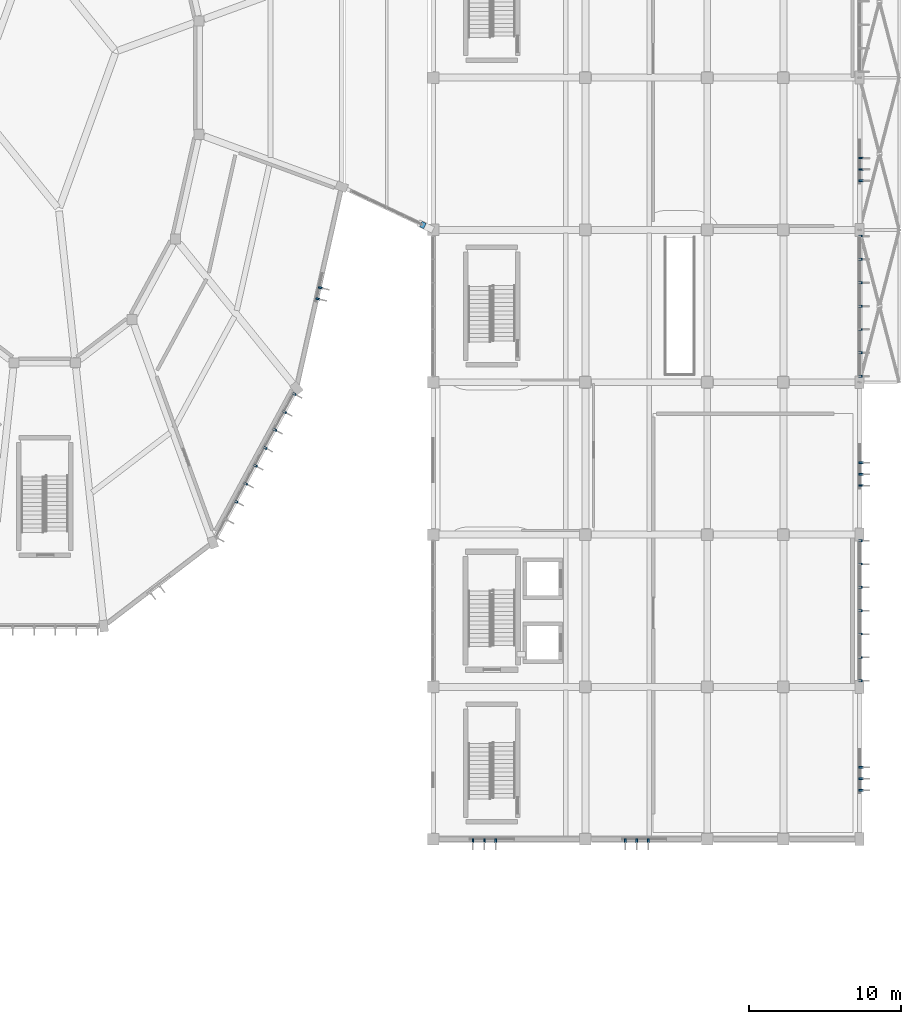
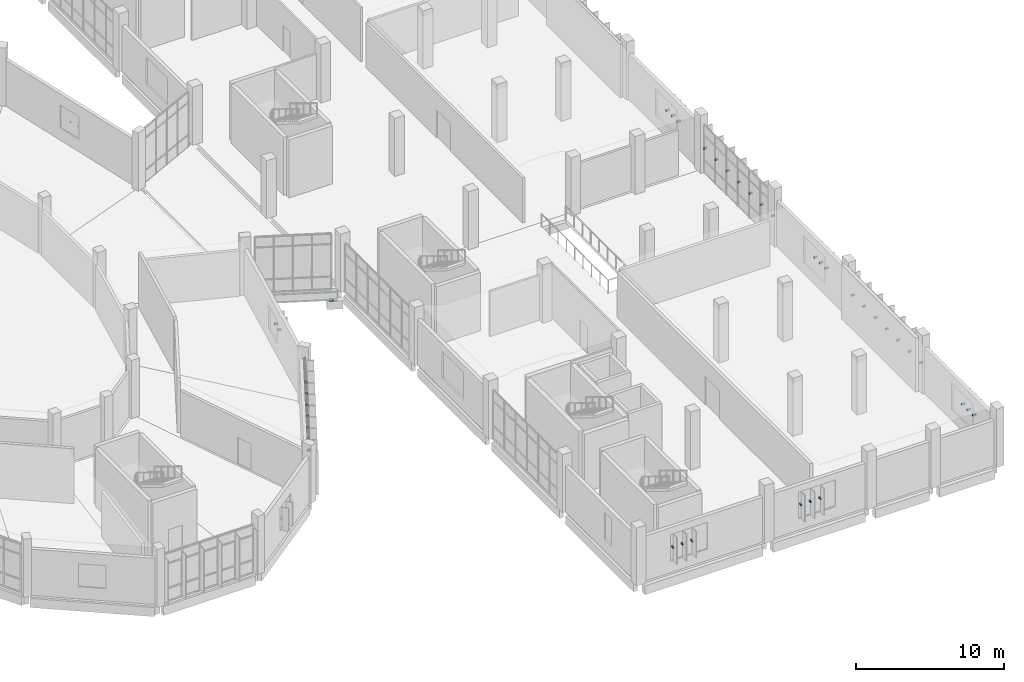
# One storey, part 143 of 179: 39 discrete accessories.
"""IFC4 building model written with IfcOpenShell, lengths in metres."""

from ifc_helpers import new_model, si_unit, direction, frame, origin, origin_2d, place, context, subcontext, project, spatial, rectangle, extrude, material, type_object, element, save


model = new_model("IFC4")

# Units and contexts
model_context = context("Model", 3, precision=1e-05, world=origin(), true_north=direction((0.0, 1.0)))
body_context = subcontext(model_context, "Body", "Model", "MODEL_VIEW")
ifc_project = project(units=[si_unit("LENGTHUNIT", "METRE"), si_unit("AREAUNIT", "SQUARE_METRE"), si_unit("VOLUMEUNIT", "CUBIC_METRE"), si_unit("PLANEANGLEUNIT", "RADIAN"), si_unit("MASSUNIT", "GRAM", prefix="KILO")], contexts=[model_context])

# Site, building, storey
site_placement = place(None, origin())
site = spatial("IfcSite", under=ifc_project, at=site_placement, CompositionType="ELEMENT")
building_placement = place(site_placement, origin())
building = spatial("IfcBuilding", under=site, at=building_placement, Name="Corvandel Quay Wholesale Market", CompositionType="ELEMENT")
storey_placement = place(building_placement, frame((0.0, 0.0, 6.0)))
storey = spatial("IfcBuildingStorey", under=building, at=storey_placement, Name="L01", CompositionType="ELEMENT", Elevation=6.0)

# Discrete accessories
ifc_material_1 = material(Name="Austenitic stainless steel Grade 316", Category="steel")
discrete_accessory_type_1 = type_object("IfcDiscreteAccessoryType", Name="Stainless Solar Fin Fixing Bracket BRK01", PredefinedType="USERDEFINED", material=ifc_material_1)
for number, where, z_axis, x_axis, name in (
    (1, (207.065185546875, 32.159912109375, 1.9052734375), (0.0, 0.0, 1.0), (-0.879316310191, 0.476238203668, 0.0), "Fin Bracket 0655"),
    (2, (207.703369140625, 33.337890625, 1.9052734375), (0.0, 0.0, 1.0), (-0.879316310191, 0.476238203668, 0.0), "Fin Bracket 0656"),
    (3, (208.34130859375, 34.515869140625, 1.9052734375), (0.0, 0.0, 1.0), (-0.879316310191, 0.476238203668, 0.0), "Fin Bracket 0657"),
    (4, (208.979248046875, 35.69384765625, 1.9052734375), (0.0, 0.0, 1.0), (-0.879316310191, 0.476238203668, 0.0), "Fin Bracket 0658"),
    (5, (209.6171875, 36.871826171875, 1.9052734375), (0.0, 0.0, 1.0), (-0.879316310191, 0.476238203668, 0.0), "Fin Bracket 0659"),
    (6, (210.25537109375, 38.0498046875, 1.9052734375), (0.0, 0.0, 1.0), (-0.879316310191, 0.476238203668, 0.0), "Fin Bracket 0660"),
    (7, (210.893310546875, 39.227783203125, 1.9052734375), (0.0, 0.0, 1.0), (-0.879316310191, 0.476238203668, 0.0), "Fin Bracket 0661"),
):
    element("IfcDiscreteAccessory", number, at=place(storey_placement, frame(where, z_axis=z_axis, x_axis=x_axis)), inside=storey, type_object=discrete_accessory_type_1, Name=name, ObjectType="BRACKET", PredefinedType="USERDEFINED", context=body_context, shape_type="SweptSolid", body=[
        extrude(rectangle(XDim=0.239990234375, YDim=0.1201171875, at=origin_2d()), origin(), (0.0, 0.0, 1.0), 0.139892578125),
    ])
for number, where, z_axis, x_axis, name in (
    (8, (212.448974609375, 45.4697265625, 1.8798828125), (0.0, 0.0, 1.0), (-0.975726024471, 0.218994806262, 0.0), "Fin Bracket 0674"),
    (9, (212.613037109375, 46.20166015625, 1.8798828125), (0.0, 0.0, 1.0), (-0.975726024471, 0.218994806262, 0.0), "Fin Bracket 0675"),
    (10, (248.10009765625, 13.219970703125, 1.93017578125), (0.0, 0.0, 1.0), (1.0, 0.0, 0.0), "Fin Bracket 0796"),
    (11, (248.10009765625, 13.969970703125, 1.93017578125), (0.0, 0.0, 1.0), (1.0, 0.0, 0.0), "Fin Bracket 0797"),
    (12, (248.10009765625, 14.719970703125, 1.93017578125), (0.0, 0.0, 1.0), (1.0, 0.0, 0.0), "Fin Bracket 0798"),
):
    element("IfcDiscreteAccessory", number, at=place(storey_placement, frame(where, z_axis=z_axis, x_axis=x_axis)), inside=storey, type_object=discrete_accessory_type_1, Name=name, ObjectType="BRACKET", PredefinedType="USERDEFINED", context=body_context, shape_type="SweptSolid", body=[
        extrude(rectangle(XDim=0.280029296875, YDim=0.1201171875, at=origin_2d()), origin(), (0.0, 0.0, 1.0), 0.139892578125),
    ])
for number, where, z_axis, x_axis, name in (
    (13, (248.06005859375, 20.39990234375, 1.9052734375), (0.0, 0.0, 1.0), (1.0, 0.0, 0.0), "Fin Bracket 0799"),
    (14, (248.06005859375, 21.933349609375, 1.9052734375), (0.0, 0.0, 1.0), (1.0, 0.0, 0.0), "Fin Bracket 0800"),
    (15, (248.06005859375, 23.466796875, 1.9052734375), (0.0, 0.0, 1.0), (1.0, 0.0, 0.0), "Fin Bracket 0801"),
    (16, (248.06005859375, 25.0, 1.9052734375), (0.0, 0.0, 1.0), (1.0, 0.0, 0.0), "Fin Bracket 0802"),
    (17, (248.06005859375, 26.533203125, 1.9052734375), (0.0, 0.0, 1.0), (1.0, 0.0, 0.0), "Fin Bracket 0803"),
    (18, (248.06005859375, 28.066650390625, 1.9052734375), (0.0, 0.0, 1.0), (1.0, 0.0, 0.0), "Fin Bracket 0804"),
    (19, (248.06005859375, 29.60009765625, 1.9052734375), (0.0, 0.0, 1.0), (1.0, 0.0, 0.0), "Fin Bracket 0805"),
):
    element("IfcDiscreteAccessory", number, at=place(storey_placement, frame(where, z_axis=z_axis, x_axis=x_axis)), inside=storey, type_object=discrete_accessory_type_1, Name=name, ObjectType="BRACKET", PredefinedType="USERDEFINED", context=body_context, shape_type="SweptSolid", body=[
        extrude(rectangle(XDim=0.239990234375, YDim=0.1201171875, at=origin_2d()), origin(), (0.0, 0.0, 1.0), 0.139892578125),
    ])
for number, where, z_axis, x_axis, name in (
    (20, (248.10009765625, 33.219970703125, 1.93017578125), (0.0, 0.0, 1.0), (1.0, 0.0, 0.0), "Fin Bracket 0806"),
    (21, (248.10009765625, 33.969970703125, 1.93017578125), (0.0, 0.0, 1.0), (1.0, 0.0, 0.0), "Fin Bracket 0807"),
    (22, (248.10009765625, 34.719970703125, 1.93017578125), (0.0, 0.0, 1.0), (1.0, 0.0, 0.0), "Fin Bracket 0808"),
):
    element("IfcDiscreteAccessory", number, at=place(storey_placement, frame(where, z_axis=z_axis, x_axis=x_axis)), inside=storey, type_object=discrete_accessory_type_1, Name=name, ObjectType="BRACKET", PredefinedType="USERDEFINED", context=body_context, shape_type="SweptSolid", body=[
        extrude(rectangle(XDim=0.280029296875, YDim=0.1201171875, at=origin_2d()), origin(), (0.0, 0.0, 1.0), 0.139892578125),
    ])
for number, where, z_axis, x_axis, name in (
    (23, (248.06005859375, 40.39990234375, 1.9052734375), (0.0, 0.0, 1.0), (1.0, 0.0, 0.0), "Fin Bracket 0809"),
    (24, (248.06005859375, 41.933349609375, 1.9052734375), (0.0, 0.0, 1.0), (1.0, 0.0, 0.0), "Fin Bracket 0810"),
    (25, (248.06005859375, 43.466796875, 1.9052734375), (0.0, 0.0, 1.0), (1.0, 0.0, 0.0), "Fin Bracket 0811"),
    (26, (248.06005859375, 45.0, 1.9052734375), (0.0, 0.0, 1.0), (1.0, 0.0, 0.0), "Fin Bracket 0812"),
    (27, (248.06005859375, 46.533203125, 1.9052734375), (0.0, 0.0, 1.0), (1.0, 0.0, 0.0), "Fin Bracket 0813"),
    (28, (248.06005859375, 48.066650390625, 1.9052734375), (0.0, 0.0, 1.0), (1.0, 0.0, 0.0), "Fin Bracket 0814"),
    (29, (248.06005859375, 49.60009765625, 1.9052734375), (0.0, 0.0, 1.0), (1.0, 0.0, 0.0), "Fin Bracket 0815"),
):
    element("IfcDiscreteAccessory", number, at=place(storey_placement, frame(where, z_axis=z_axis, x_axis=x_axis)), inside=storey, type_object=discrete_accessory_type_1, Name=name, ObjectType="BRACKET", PredefinedType="USERDEFINED", context=body_context, shape_type="SweptSolid", body=[
        extrude(rectangle(XDim=0.239990234375, YDim=0.1201171875, at=origin_2d()), origin(), (0.0, 0.0, 1.0), 0.139892578125),
    ])
for number, where, z_axis, x_axis, name in (
    (30, (248.10009765625, 53.219970703125, 1.93017578125), (0.0, 0.0, 1.0), (1.0, 0.0, 0.0), "Fin Bracket 0816"),
    (31, (248.10009765625, 53.969970703125, 1.93017578125), (0.0, 0.0, 1.0), (1.0, 0.0, 0.0), "Fin Bracket 0817"),
    (32, (248.10009765625, 54.719970703125, 1.93017578125), (0.0, 0.0, 1.0), (1.0, 0.0, 0.0), "Fin Bracket 0818"),
    (33, (222.6201171875, 9.89990234375, 1.97998046875), (0.0, 0.0, 1.0), (0.0, 1.0, 0.0), "Fin Bracket 0839"),
    (34, (223.3701171875, 9.89990234375, 1.97998046875), (0.0, 0.0, 1.0), (0.0, 1.0, 0.0), "Fin Bracket 0840"),
    (35, (224.1201171875, 9.89990234375, 1.97998046875), (0.0, 0.0, 1.0), (0.0, 1.0, 0.0), "Fin Bracket 0841"),
    (36, (232.6201171875, 9.89990234375, 1.97998046875), (0.0, 0.0, 1.0), (0.0, 1.0, 0.0), "Fin Bracket 0842"),
    (37, (233.3701171875, 9.89990234375, 1.97998046875), (0.0, 0.0, 1.0), (0.0, 1.0, 0.0), "Fin Bracket 0843"),
    (38, (234.1201171875, 9.89990234375, 1.97998046875), (0.0, 0.0, 1.0), (0.0, 1.0, 0.0), "Fin Bracket 0844"),
):
    element("IfcDiscreteAccessory", number, at=place(storey_placement, frame(where, z_axis=z_axis, x_axis=x_axis)), inside=storey, type_object=discrete_accessory_type_1, Name=name, ObjectType="BRACKET", PredefinedType="USERDEFINED", context=body_context, shape_type="SweptSolid", body=[
        extrude(rectangle(XDim=0.280029296875, YDim=0.1201171875, at=origin_2d()), origin(), (0.0, 0.0, 1.0), 0.139892578125),
    ])
ifc_material_2 = material(Name="PTFE elastomeric bearing assembly")
discrete_accessory_type_2 = type_object("IfcDiscreteAccessoryType", Name="Unguided Bi-Directional PTFE Sliding Bearing SBG01", PredefinedType="USERDEFINED", material=ifc_material_2)
discrete_accessory_placement = place(storey_placement, frame((219.3310546875, 50.31640625, -0.943115234375), z_axis=(0.0, 0.0, 1.0), x_axis=(-0.903933318548, 0.427673421689, 0.0)))
element("IfcDiscreteAccessory", 39, at=discrete_accessory_placement, inside=storey, type_object=discrete_accessory_type_2, Name="PTFE Sliding Bearing SBG-019", ObjectType="SLIDING BEARING", PredefinedType="USERDEFINED", context=body_context, shape_type="SweptSolid", body=[
    extrude(rectangle(XDim=0.300048828125, YDim=0.39990234375, at=origin_2d()), origin(), (0.0, 0.0, 1.0), 0.0400390625),
])

save(model, "model.ifc")
